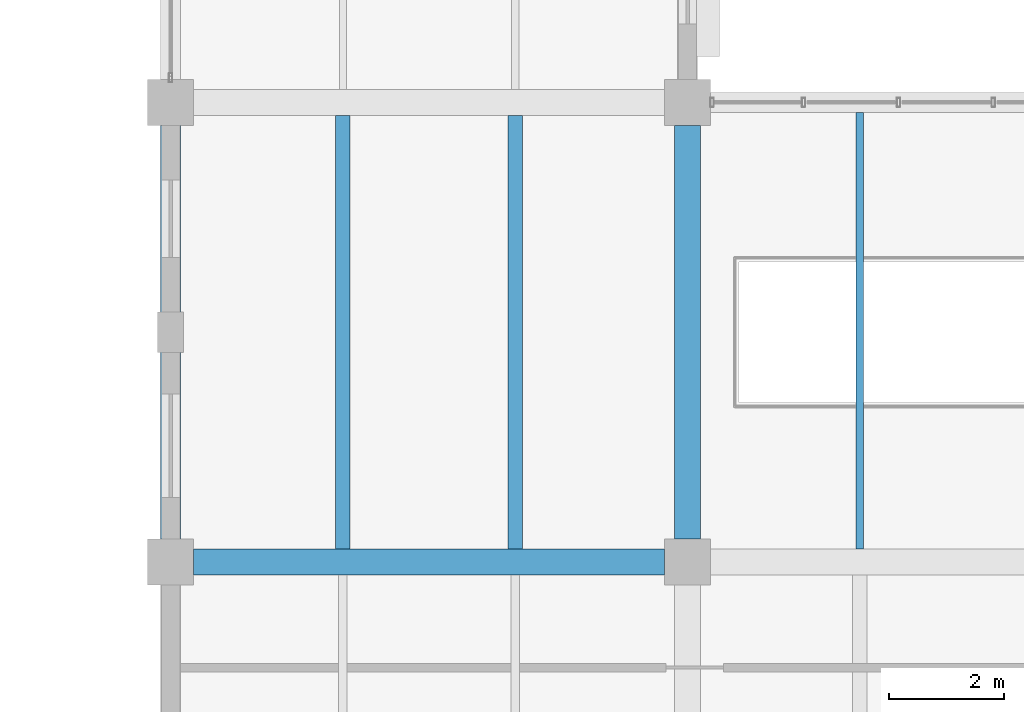
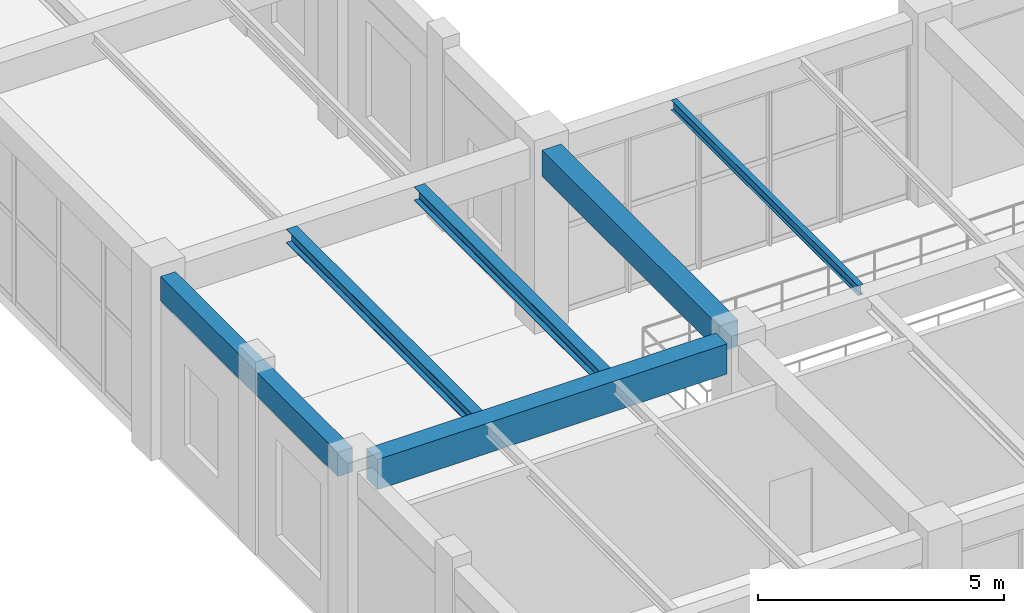
# One storey, part 48 of 178: 6 beams.
"""IFC4 building model written with IfcOpenShell, lengths in metres."""

from ifc_helpers import new_model, si_unit, derived_unit, direction, frame, origin, origin_2d, place, context, subcontext, project, spatial, rectangle, i_section, extrude, material, material_profile, profile_set, type_object, element, save


model = new_model("IFC4")

# Units and contexts
model_context = context("Model", 3, precision=1e-05, world=origin(), true_north=direction((0.0, 1.0)))
body_context = subcontext(model_context, "Body", "Model", "MODEL_VIEW")
ifc_project = project(units=[si_unit("LENGTHUNIT", "METRE"), si_unit("AREAUNIT", "SQUARE_METRE"), si_unit("VOLUMEUNIT", "CUBIC_METRE"), si_unit("PLANEANGLEUNIT", "RADIAN"), si_unit("MASSUNIT", "GRAM", prefix="KILO"), derived_unit("THERMALTRANSMITTANCEUNIT", [(si_unit("MASSUNIT", "GRAM", prefix="KILO"), 1), (si_unit("TIMEUNIT", "SECOND"), -3), (si_unit("THERMODYNAMICTEMPERATUREUNIT", "KELVIN"), -1)])], contexts=[model_context])

# Site, building, storey
site_placement = place(None, origin())
site = spatial("IfcSite", under=ifc_project, at=site_placement, CompositionType="ELEMENT")
building_placement = place(site_placement, origin())
building = spatial("IfcBuilding", under=site, at=building_placement, Name="Zhenchuan Archway Interchange", CompositionType="ELEMENT")
storey_placement = place(building_placement, frame((0.0, 0.0, 5.39990234375)))
storey = spatial("IfcBuildingStorey", under=building, at=storey_placement, Name="L01", CompositionType="ELEMENT", Elevation=5.39990234375)

# Beams
ifc_material_1 = material(Name="Concrete C40", Category="concrete")
ifc_material_profile_1 = material_profile(ifc_material_1, rectangle(XDim=0.449951171875, YDim=0.64990234375, at=origin_2d()), Name="RC 450x650")
ifc_profile_set_1 = profile_set([ifc_material_profile_1], Name="Concrete C40")
beam_type_1 = type_object("IfcBeamType", Name="BM_RC_450x650", PredefinedType="BEAM", material=ifc_profile_set_1)
beam_1_placement = place(storey_placement, frame((108.0, 16.39990234375, 4.18505859375), z_axis=(0.0, 1.0, 0.0), x_axis=(-1.0, 0.0, 0.0)))
element("IfcBeam", 1, at=beam_1_placement, inside=storey, type_object=beam_type_1, Name="Beam 13:C-D (L01)", PredefinedType="BEAM", context=body_context, shape_type="SweptSolid", body=[
    extrude(rectangle(XDim=0.449951171875, YDim=0.64990234375, at=origin_2d()), origin(), (0.0, 0.0, 1.0), 7.2001953125),
])
ifc_material_profile_2 = material_profile(ifc_material_1, rectangle(XDim=0.449951171875, YDim=0.75, at=origin_2d()), Name="RC 450x750")
ifc_profile_set_2 = profile_set([ifc_material_profile_2], Name="Concrete C40")
beam_type_2 = type_object("IfcBeamType", Name="BM_RC_450x750", PredefinedType="BEAM", material=ifc_profile_set_2)
beam_2_placement = place(storey_placement, frame((99.39990234375, 16.0, 4.135009765625), z_axis=(1.0, 0.0, 0.0), x_axis=(0.0, 1.0, 0.0)))
element("IfcBeam", 2, at=beam_2_placement, inside=storey, type_object=beam_type_2, Name="Beam C:12-13 (L01)", PredefinedType="BEAM", context=body_context, shape_type="SweptSolid", body=[
    extrude(rectangle(XDim=0.449951171875, YDim=0.75, at=origin_2d()), origin(), (0.0, 0.0, 1.0), 8.2001953125),
])
ifc_material_2 = material(Name="Steel Q355", Category="steel")
ifc_material_profile_3 = material_profile(ifc_material_2, i_section(OverallWidth=0.25, OverallDepth=0.340087890625, WebThickness=0.009033203125, FlangeThickness=0.013916015625, FilletRadius=0.01806640625, at=origin_2d()), Name="HM 340x250")
ifc_profile_set_3 = profile_set([ifc_material_profile_3], Name="Steel Q355")
beam_type_3 = type_object("IfcBeamType", Name="JST_STL_HM340", PredefinedType="JOIST", material=ifc_profile_set_3)
for number, where, z_axis, x_axis, name in (
    (3, (102.0, 16.22509765625, 4.340087890625), (0.0, 1.0, 0.0), (-1.0, 0.0, 0.0), "Secondary joist 12-13/C-D #1 (L01)"),
    (4, (105.0, 16.22509765625, 4.340087890625), (0.0, 1.0, 0.0), (-1.0, 0.0, 0.0), "Secondary joist 12-13/C-D #2 (L01)"),
):
    element("IfcBeam", number, at=place(storey_placement, frame(where, z_axis=z_axis, x_axis=x_axis)), inside=storey, type_object=beam_type_3, Name=name, PredefinedType="JOIST", context=body_context, shape_type="SweptSolid", body=[
        extrude(i_section(OverallWidth=0.25, OverallDepth=0.340087890625, WebThickness=0.009033203125, FlangeThickness=0.013916015625, FilletRadius=0.01806640625, at=origin_2d()), origin(), (0.0, 0.0, 1.0), 7.5498046875),
    ])
ifc_material_profile_4 = material_profile(ifc_material_2, i_section(OverallWidth=0.125, OverallDepth=0.25, WebThickness=0.006103515625, FlangeThickness=0.009033203125, FilletRadius=0.011962890625, at=origin_2d()), Name="HN 250x125")
ifc_profile_set_4 = profile_set([ifc_material_profile_4], Name="Steel Q355")
beam_type_4 = type_object("IfcBeamType", Name="JST_STL_HN250", PredefinedType="JOIST", material=ifc_profile_set_4)
beam_3_placement = place(storey_placement, frame((111.0, 16.22509765625, 4.385009765625), z_axis=(0.0, 1.0, 0.0), x_axis=(-1.0, 0.0, 0.0)))
element("IfcBeam", 5, at=beam_3_placement, inside=storey, type_object=beam_type_4, Name="Secondary joist 13-14/C-D #1 (L01)", PredefinedType="JOIST", context=body_context, shape_type="SweptSolid", body=[
    extrude(i_section(OverallWidth=0.125, OverallDepth=0.25, WebThickness=0.006103515625, FlangeThickness=0.009033203125, FilletRadius=0.011962890625, at=origin_2d()), origin(), (0.0, 0.0, 1.0), 7.599853515625),
])
ifc_material_profile_5 = material_profile(ifc_material_1, rectangle(XDim=0.35009765625, YDim=0.60009765625, at=origin_2d()), Name="RC 350x600")
ifc_profile_set_5 = profile_set([ifc_material_profile_5], Name="Concrete C40")
beam_type_5 = type_object("IfcBeamType", Name="SP_RC_350x600", PredefinedType="SPANDREL", material=ifc_profile_set_5)
beam_4_placement = place(storey_placement, frame((99.0, 16.39990234375, 4.210205078125), z_axis=(0.0, 1.0, 0.0), x_axis=(-1.0, 0.0, 0.0)))
element("IfcBeam", 6, at=beam_4_placement, inside=storey, type_object=beam_type_5, Name="Beam 12:C-D (L01)", PredefinedType="SPANDREL", context=body_context, shape_type="SweptSolid", body=[
    extrude(rectangle(XDim=0.35009765625, YDim=0.60009765625, at=origin_2d()), origin(), (0.0, 0.0, 1.0), 7.2001953125),
])

save(model, "model.ifc")
